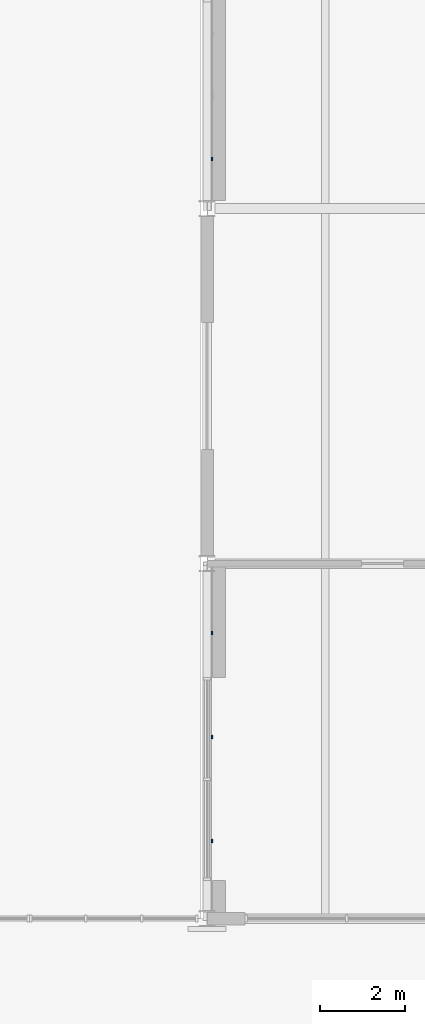
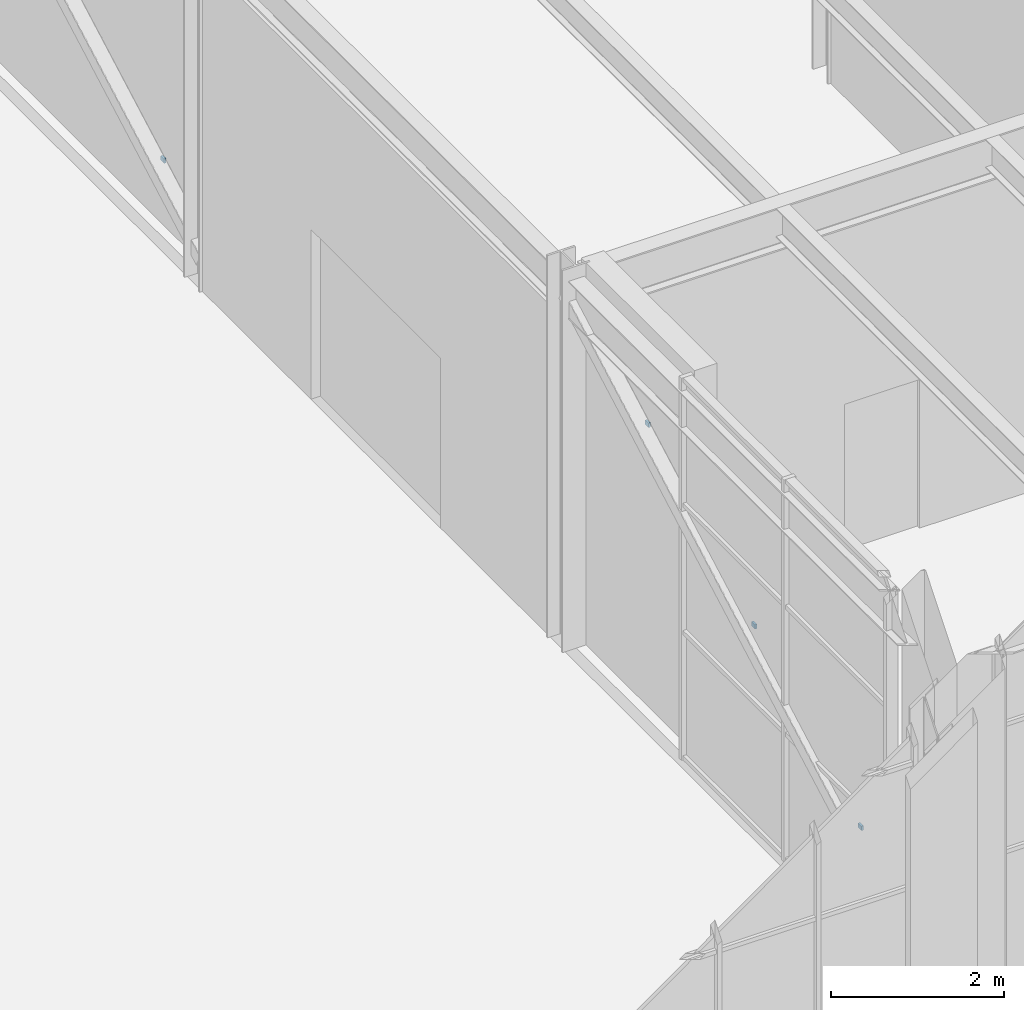
# One storey, part 86 of 127: 4 discrete accessories.
"""IFC4 building model written with IfcOpenShell, lengths in metres."""

from ifc_helpers import new_model, si_unit, direction, frame, origin, origin_2d, place, context, subcontext, project, spatial, rectangle, extrude, material, type_object, element, save


model = new_model("IFC4")

# Units and contexts
model_context = context("Model", 3, precision=1e-05, world=origin(), true_north=direction((0.0, 1.0)))
body_context = subcontext(model_context, "Body", "Model", "MODEL_VIEW")
ifc_project = project(units=[si_unit("LENGTHUNIT", "METRE"), si_unit("AREAUNIT", "SQUARE_METRE"), si_unit("VOLUMEUNIT", "CUBIC_METRE"), si_unit("PLANEANGLEUNIT", "RADIAN"), si_unit("MASSUNIT", "GRAM", prefix="KILO")], contexts=[model_context])

# Site, building, storey
site_placement = place(None, origin())
site = spatial("IfcSite", under=ifc_project, at=site_placement, CompositionType="ELEMENT")
building_placement = place(site_placement, origin())
building = spatial("IfcBuilding", under=site, at=building_placement, Name="Ljudholm Concert House", CompositionType="ELEMENT")
storey_placement = place(building_placement, origin())
storey = spatial("IfcBuildingStorey", under=building, at=storey_placement, Name="L00", CompositionType="ELEMENT", Elevation=0.0)

# Discrete accessories
ifc_material = material(Name="Stainless steel bracket", Category="steel")
discrete_accessory_type = type_object("IfcDiscreteAccessoryType", Name="PANEL BRACKET", PredefinedType="BRACKET", material=ifc_material)
for number, where, z_axis, x_axis, name in (
    (1, (54.515625, 106.632080078125, 1.277587890625), (0.0, 0.0, 1.0), (1.0, 0.0, 0.0), "Panel bracket"),
    (2, (54.515625, 109.094970703125, 2.63232421875), (0.0, 0.0, 1.0), (1.0, 0.0, 0.0), "Panel bracket"),
    (3, (54.515625, 111.55810546875, 3.98681640625), (0.0, 0.0, 1.0), (1.0, 0.0, 0.0), "Panel bracket"),
    (4, (54.515625, 122.777099609375, 0.917236328125), (0.0, 0.0, 1.0), (1.0, 0.0, 0.0), "Panel bracket"),
):
    element("IfcDiscreteAccessory", number, at=place(storey_placement, frame(where, z_axis=z_axis, x_axis=x_axis)), inside=storey, type_object=discrete_accessory_type, Name=name, PredefinedType="BRACKET", context=body_context, shape_type="SweptSolid", body=[
        extrude(rectangle(XDim=0.028076171875, YDim=0.080078125, at=origin_2d()), origin(), (0.0, 0.0, 1.0), 0.06005859375),
    ])

save(model, "model.ifc")
